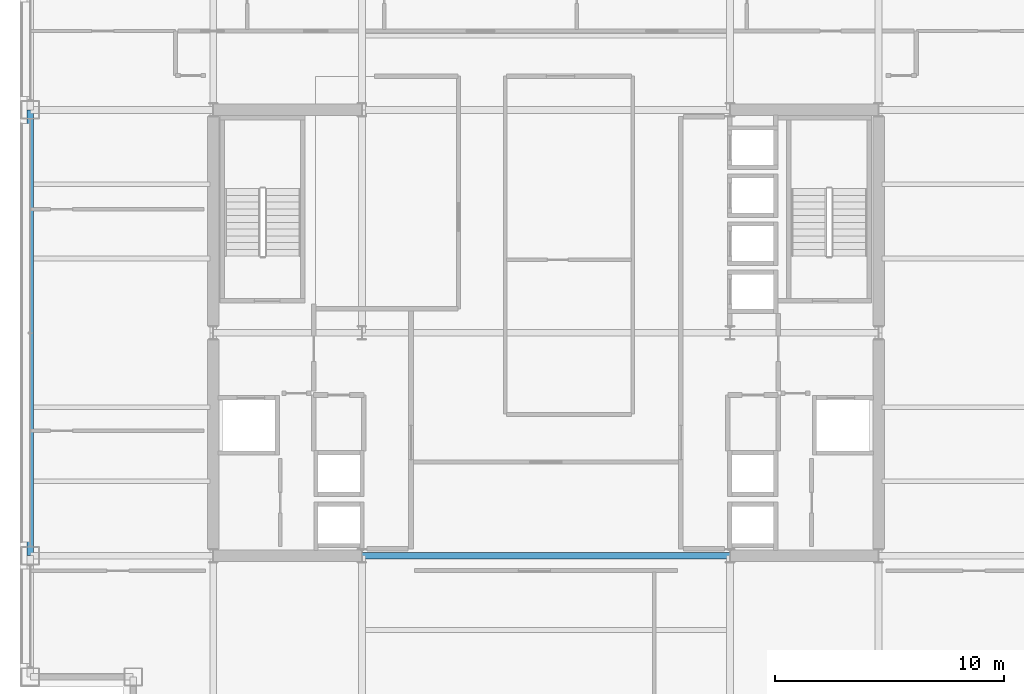
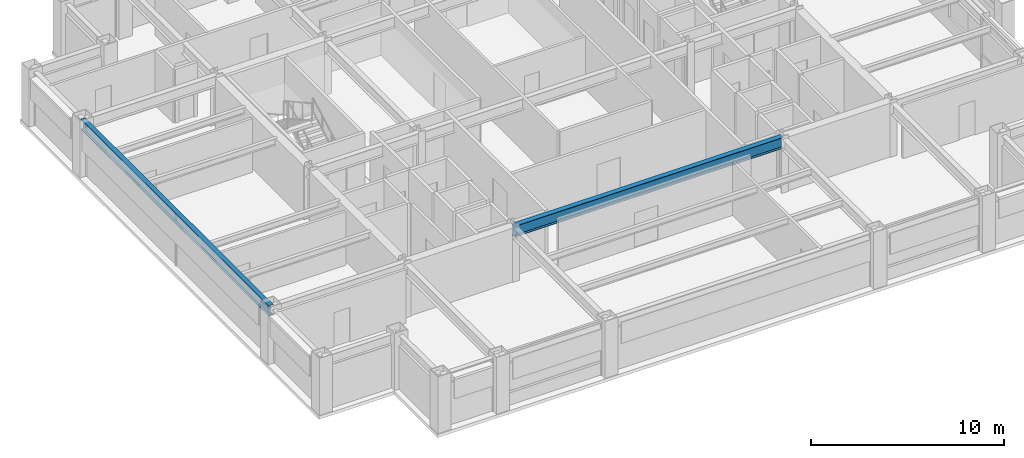
# One storey, part 7 of 29: 2 beams.
"""IFC4 building model written with IfcOpenShell, lengths in metres."""

from ifc_helpers import new_model, si_unit, direction, frame, origin, origin_2d, place, context, subcontext, project, spatial, i_section, extrude, material, material_profile, profile_set, type_object, element, save


model = new_model("IFC4")

# Units and contexts
model_context = context("Model", 3, precision=1e-05, world=origin(), true_north=direction((0.0, 1.0)))
body_context = subcontext(model_context, "Body", "Model", "MODEL_VIEW")
ifc_project = project(units=[si_unit("LENGTHUNIT", "METRE"), si_unit("AREAUNIT", "SQUARE_METRE"), si_unit("VOLUMEUNIT", "CUBIC_METRE"), si_unit("PLANEANGLEUNIT", "RADIAN"), si_unit("MASSUNIT", "GRAM", prefix="KILO")], contexts=[model_context])

# Site, building, storey
site_placement = place(None, origin())
site = spatial("IfcSite", under=ifc_project, at=site_placement, CompositionType="ELEMENT")
building_placement = place(site_placement, origin())
building = spatial("IfcBuilding", under=site, at=building_placement, Name="Brelmoor Portico Tower", CompositionType="ELEMENT")
storey_placement = place(building_placement, frame((0.0, 0.0, 138.60009765625)))
storey = spatial("IfcBuildingStorey", under=building, at=storey_placement, Name="L36", CompositionType="ELEMENT", Elevation=138.60009765625)

# Beams
ifc_material = material(Name="Steel Q355B", Category="steel")
ifc_material_profile_1 = material_profile(ifc_material, i_section(OverallWidth=0.300048828125, OverallDepth=0.699951171875, WebThickness=0.012939453125, FlangeThickness=0.02392578125, at=origin_2d()), Name="HN 700x300x13x24")
ifc_profile_set_1 = profile_set([ifc_material_profile_1], Name="Steel Q355B")
beam_type_1 = type_object("IfcBeamType", Name="BM-PG-700", PredefinedType="BEAM", material=ifc_profile_set_1)
beam_1_placement = place(storey_placement, frame((-8.050048828125, -9.75, 3.0498046875), z_axis=(1.0, 0.0, 0.0), x_axis=(0.0, 1.0, 0.0)))
element("IfcBeam", 1, at=beam_1_placement, inside=storey, type_object=beam_type_1, Name="L36 Primary Floor Girder PG-16", PredefinedType="BEAM", context=body_context, shape_type="SweptSolid", body=[
    extrude(i_section(OverallWidth=0.300048828125, OverallDepth=0.699951171875, WebThickness=0.012939453125, FlangeThickness=0.02392578125, at=origin_2d()), origin(), (0.0, 0.0, 1.0), 16.10009765625),
])
ifc_material_profile_2 = material_profile(ifc_material, i_section(OverallWidth=0.280029296875, OverallDepth=0.64990234375, WebThickness=0.012939453125, FlangeThickness=0.02197265625, at=origin_2d()), Name="HN 650x280x13x22")
ifc_profile_set_2 = profile_set([ifc_material_profile_2], Name="Steel Q355B")
beam_type_2 = type_object("IfcBeamType", Name="BM-SP-650", PredefinedType="SPANDREL", material=ifc_profile_set_2)
beam_2_placement = place(storey_placement, frame((-22.550048828125, -9.75, 3.074951171875), z_axis=(0.0, 1.0, 0.0), x_axis=(-1.0, 0.0, 0.0)))
element("IfcBeam", 2, at=beam_2_placement, inside=storey, type_object=beam_type_2, Name="L36 Perimeter Spandrel Beam SP-16", PredefinedType="SPANDREL", context=body_context, shape_type="SweptSolid", body=[
    extrude(i_section(OverallWidth=0.280029296875, OverallDepth=0.64990234375, WebThickness=0.012939453125, FlangeThickness=0.02197265625, at=origin_2d()), origin(), (0.0, 0.0, 1.0), 19.5),
])

save(model, "model.ifc")
